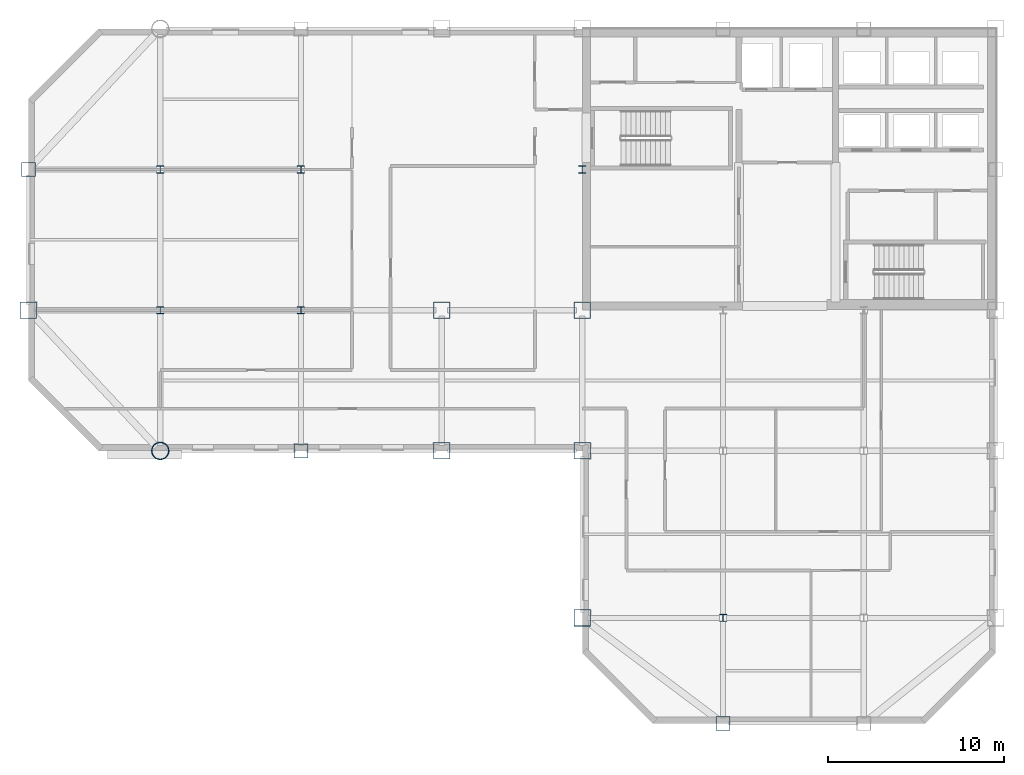
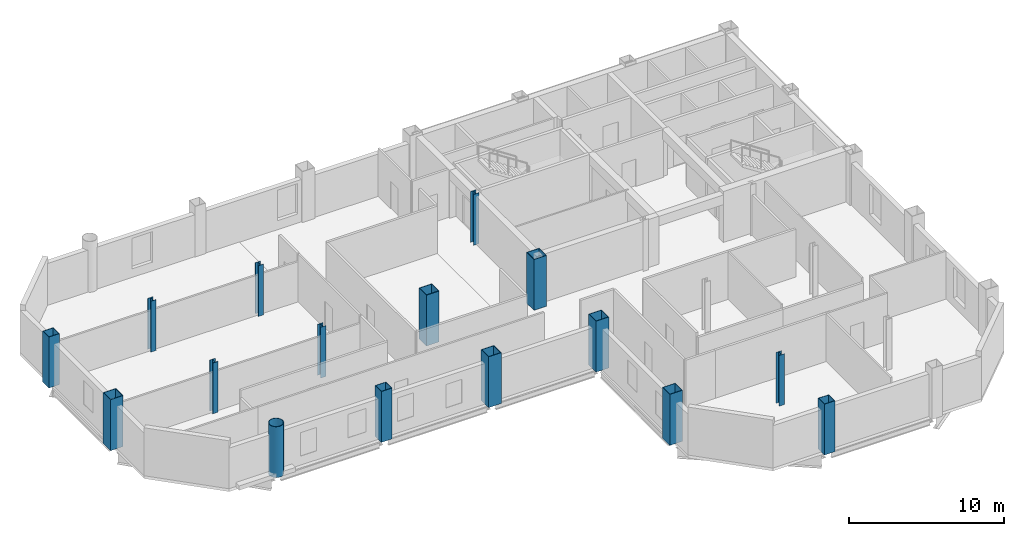
# One storey, part 1 of 10: 16 columns.
"""IFC4 building model written with IfcOpenShell, lengths in metres."""

from ifc_helpers import new_model, si_unit, direction, frame, origin, origin_2d, place, context, subcontext, project, spatial, hollow_rectangle, hollow_circle, i_section, extrude, material, material_profile, profile_set, type_object, element, save


model = new_model("IFC4")

# Units and contexts
model_context = context("Model", 3, precision=1e-05, world=origin(), true_north=direction((0.0, 1.0)))
body_context = subcontext(model_context, "Body", "Model", "MODEL_VIEW")
ifc_project = project(units=[si_unit("LENGTHUNIT", "METRE"), si_unit("AREAUNIT", "SQUARE_METRE"), si_unit("VOLUMEUNIT", "CUBIC_METRE"), si_unit("PLANEANGLEUNIT", "RADIAN"), si_unit("MASSUNIT", "GRAM", prefix="KILO")], contexts=[model_context])

# Site, building, storey
site_placement = place(None, origin())
site = spatial("IfcSite", under=ifc_project, at=site_placement, CompositionType="ELEMENT")
building_placement = place(site_placement, origin())
building = spatial("IfcBuilding", under=site, at=building_placement, Name="Qianrong Seaharbour Tower", CompositionType="ELEMENT")
storey_placement = place(building_placement, frame((0.0, 0.0, 245.800048828125)))
storey = spatial("IfcBuildingStorey", under=building, at=storey_placement, Name="L59", CompositionType="ELEMENT", Elevation=245.800048828125)

# Columns
ifc_material = material(Name="Structural steel SN490B", Category="steel")
ifc_material_profile_1 = material_profile(ifc_material, hollow_rectangle(XDim=0.949951171875, YDim=0.949951171875, WallThickness=0.035888671875, at=origin_2d()), Name="BOX950x950x36")
ifc_profile_set_1 = profile_set([ifc_material_profile_1], Name="Structural steel SN490B")
column_type_1 = type_object("IfcColumnType", Name="COL-CFT-950", PredefinedType="COLUMN", material=ifc_profile_set_1)
for number, where, z_axis, x_axis, name in (
    (1, (9.0, 36.0, 0.0), (0.0, 0.0, 1.0), (1.0, 0.0, 0.0), "L59 Column MC-4 at G2/GF"),
    (2, (32.5, 28.0, 0.0), (0.0, 0.0, 1.0), (1.0, 0.0, 0.0), "L59 Column MC-4 at G5/GE"),
    (3, (32.5, 36.0, 0.0), (0.0, 0.0, 1.0), (1.0, 0.0, 0.0), "L59 Column MC-4 at G5/GF"),
    (4, (40.5, 18.5, 0.0), (0.0, 0.0, 1.0), (1.0, 0.0, 0.0), "L59 Column MC-4 at G6/GD"),
    (5, (40.5, 28.0, 0.0), (0.0, 0.0, 1.0), (1.0, 0.0, 0.0), "L59 Column MC-4 at G6/GE"),
    (6, (40.5, 36.0, 0.0), (0.0, 0.0, 1.0), (1.0, 0.0, 0.0), "L59 Column MC-4 at G6/GF"),
):
    element("IfcColumn", number, at=place(storey_placement, frame(where, z_axis=z_axis, x_axis=x_axis)), inside=storey, type_object=column_type_1, Name=name, PredefinedType="COLUMN", context=body_context, shape_type="SweptSolid", body=[
        extrude(hollow_rectangle(XDim=0.949951171875, YDim=0.949951171875, WallThickness=0.035888671875, at=origin_2d()), origin(), (0.0, 0.0, 1.0), 4.0),
    ])
ifc_material_profile_2 = material_profile(ifc_material, hollow_circle(Radius=0.5, WallThickness=0.035888671875, at=origin_2d()), Name="CHS1000x36")
ifc_profile_set_2 = profile_set([ifc_material_profile_2], Name="Structural steel SN490B")
column_type_2 = type_object("IfcColumnType", Name="COL-CHS-1000", PredefinedType="COLUMN", material=ifc_profile_set_2)
column_placement = place(storey_placement, frame((16.5, 28.0, 0.0), z_axis=(0.0, 0.0, 1.0), x_axis=(1.0, 0.0, 0.0)))
element("IfcColumn", 7, at=column_placement, inside=storey, type_object=column_type_2, Name="L59 Column CC-2 at G3/GE", PredefinedType="COLUMN", context=body_context, shape_type="SweptSolid", body=[
    extrude(hollow_circle(Radius=0.5, WallThickness=0.035888671875, at=origin_2d()), origin(), (0.0, 0.0, 1.0), 4.0),
])
ifc_material_profile_3 = material_profile(ifc_material, i_section(OverallWidth=0.39990234375, OverallDepth=0.39990234375, WebThickness=0.012939453125, FlangeThickness=0.02099609375, FilletRadius=0.02197265625, at=origin_2d()), Name="H400x400x13x21")
ifc_profile_set_3 = profile_set([ifc_material_profile_3], Name="Structural steel SN490B")
column_type_3 = type_object("IfcColumnType", Name="COL-INT-H400", PredefinedType="COLUMN", material=ifc_profile_set_3)
for number, where, z_axis, x_axis, name in (
    (8, (16.5, 36.0, 0.0), (0.0, 0.0, 1.0), (1.0, 0.0, 0.0), "L59 Column IC-3 at G3/GF"),
    (9, (16.5, 44.0, 0.0), (0.0, 0.0, 1.0), (1.0, 0.0, 0.0), "L59 Column IC-3 at G3/GG"),
    (10, (24.5, 36.0, 0.0), (0.0, 0.0, 1.0), (1.0, 0.0, 0.0), "L59 Column IC-3 at G4/GF"),
    (11, (24.5, 44.0, 0.0), (0.0, 0.0, 1.0), (1.0, 0.0, 0.0), "L59 Column IC-3 at G4/GG"),
    (12, (40.5, 44.0, 0.0), (0.0, 0.0, 1.0), (1.0, 0.0, 0.0), "L59 Column IC-3 at G6/GG"),
    (13, (48.5, 18.5, 0.0), (0.0, 0.0, 1.0), (1.0, 0.0, 0.0), "L59 Column IC-3 at G7/GD"),
):
    element("IfcColumn", number, at=place(storey_placement, frame(where, z_axis=z_axis, x_axis=x_axis)), inside=storey, type_object=column_type_3, Name=name, PredefinedType="COLUMN", context=body_context, shape_type="SweptSolid", body=[
        extrude(i_section(OverallWidth=0.39990234375, OverallDepth=0.39990234375, WebThickness=0.012939453125, FlangeThickness=0.02099609375, FilletRadius=0.02197265625, at=origin_2d()), origin(), (0.0, 0.0, 1.0), 4.0),
    ])
ifc_material_profile_4 = material_profile(ifc_material, hollow_rectangle(XDim=0.800048828125, YDim=0.800048828125, WallThickness=0.031982421875, at=origin_2d()), Name="BOX800x800x32")
ifc_profile_set_4 = profile_set([ifc_material_profile_4], Name="Structural steel SN490B")
column_type_4 = type_object("IfcColumnType", Name="COL-PER-800", PredefinedType="COLUMN", material=ifc_profile_set_4)
for number, where, z_axis, x_axis, name in (
    (14, (9.0, 44.0, 0.0), (0.0, 0.0, 1.0), (1.0, 0.0, 0.0), "L59 Column PC-3 at G2/GG"),
    (15, (24.5, 28.0, 0.0), (0.0, 0.0, 1.0), (1.0, 0.0, 0.0), "L59 Column PC-3 at G4/GE"),
    (16, (48.5, 12.5, 0.0), (0.0, 0.0, 1.0), (1.0, 0.0, 0.0), "L59 Column PC-3 at G7/GC"),
):
    element("IfcColumn", number, at=place(storey_placement, frame(where, z_axis=z_axis, x_axis=x_axis)), inside=storey, type_object=column_type_4, Name=name, PredefinedType="COLUMN", context=body_context, shape_type="SweptSolid", body=[
        extrude(hollow_rectangle(XDim=0.800048828125, YDim=0.800048828125, WallThickness=0.031982421875, at=origin_2d()), origin(), (0.0, 0.0, 1.0), 4.0),
    ])

save(model, "model.ifc")
